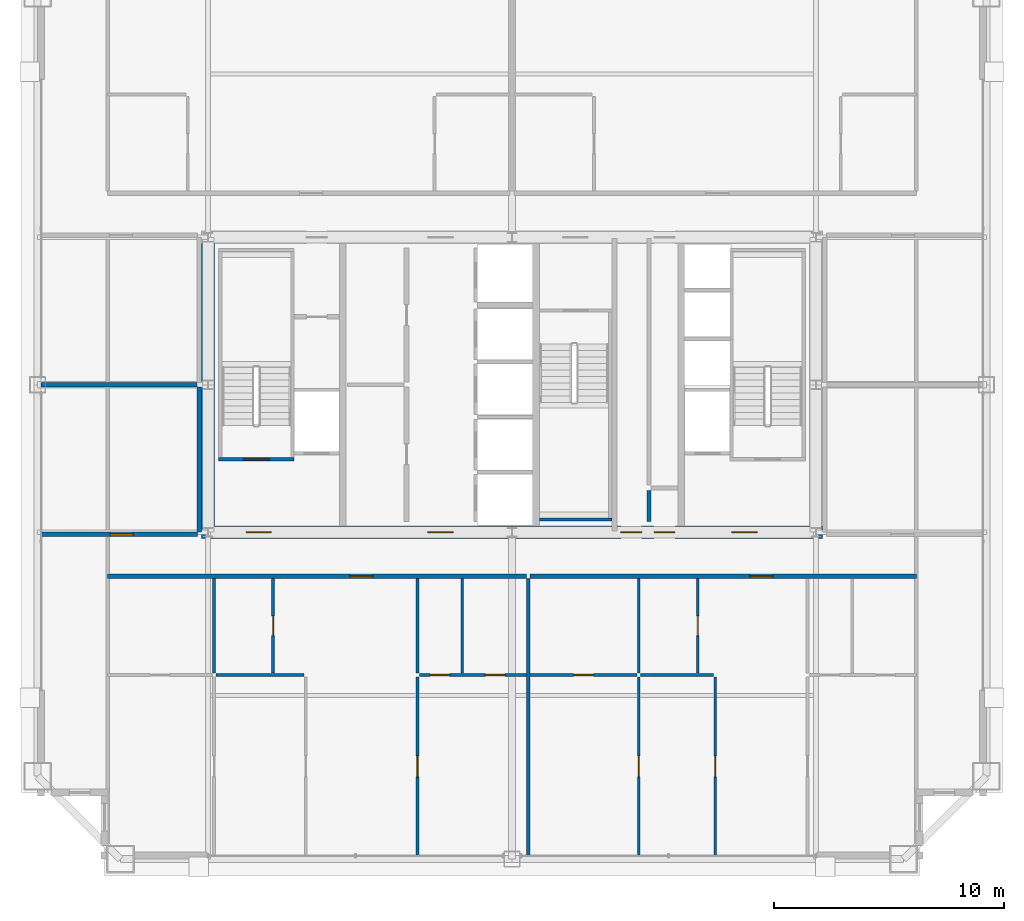
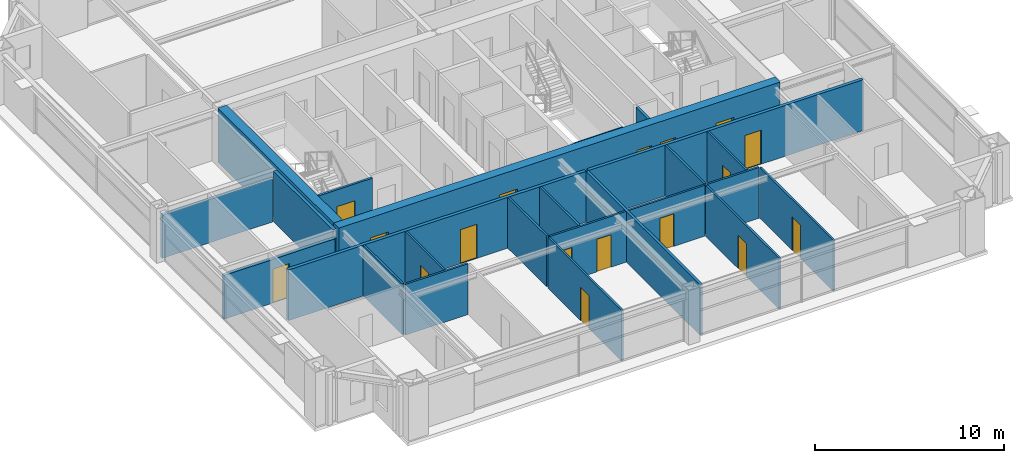
# One storey, part 32 of 36: 24 walls, 17 doors, 17 openings.
"""IFC4 building model written with IfcOpenShell, lengths in metres."""

from ifc_helpers import new_model, si_unit, direction, frame, frame_2d, origin, place, context, subcontext, project, spatial, rectangle, extrude, source, transform, mapped, material, layer, layer_set, type_object, element, fill, save


model = new_model("IFC4")

# Units and contexts
model_context = context("Model", 3, precision=1e-05, world=origin(), true_north=direction((0.0, 1.0)))
body_context = subcontext(model_context, "Body", "Model", "MODEL_VIEW")
ifc_project = project(units=[si_unit("LENGTHUNIT", "METRE"), si_unit("AREAUNIT", "SQUARE_METRE"), si_unit("VOLUMEUNIT", "CUBIC_METRE"), si_unit("PLANEANGLEUNIT", "RADIAN"), si_unit("MASSUNIT", "GRAM", prefix="KILO"), si_unit("THERMODYNAMICTEMPERATUREUNIT", "KELVIN"), si_unit("POWERUNIT", "WATT")], contexts=[model_context])

# Site, building, storey
site_placement = place(None, origin())
site = spatial("IfcSite", under=ifc_project, at=site_placement, CompositionType="ELEMENT")
building_placement = place(site_placement, origin())
building = spatial("IfcBuilding", under=site, at=building_placement, Name="Yuzanri Waterfront Tower", CompositionType="ELEMENT")
storey_placement = place(building_placement, frame((0.0, 0.0, 231.10009765625)))
storey = spatial("IfcBuildingStorey", under=building, at=storey_placement, Name="L61", CompositionType="ELEMENT", Elevation=231.10009765625)

# Wall, opening, door
ifc_material_1 = material(Name="Moisture-Resistant Gypsum Stud Wall", Category="gypsum")
ifc_layer_1 = layer(ifc_material_1, 0.1201171875)
ifc_layer_set_1 = layer_set([ifc_layer_1], Name="Moisture-Resistant Gypsum Stud Wall")
wall_type_1 = type_object("IfcWallType", Name="Bathroom and Kitchen Wet Partition 120", PredefinedType="PARTITIONING", material=ifc_layer_set_1)
wall_1_placement = place(storey_placement, frame((26.625, 13.280029296875, 0.0), z_axis=(0.0, 0.0, 1.0), x_axis=(0.0, 1.0, 0.0)))
wall_1 = element("IfcWall", 1, at=wall_1_placement, inside=storey, type_object=wall_type_1, Name="L61 Partition UW-L61-RS1-SUB-2-E", PredefinedType="PARTITIONING", context=body_context, shape_type="SweptSolid", body=[
    extrude(rectangle(XDim=4.10986328125, YDim=0.1201171875, at=frame_2d((2.054931640625, 0.0))), origin(), (0.0, 0.0, 1.0), 3.27978515625),
])
opening_1_placement = place(wall_1_placement, frame((1.6298828125, 0.0, 0.0)))
opening_1 = element("IfcOpeningElement", 2, at=opening_1_placement, cuts=wall_1, Name="Opening ID-0850", PredefinedType="OPENING", context=body_context, shape_type="SweptSolid", body=[
    extrude(rectangle(XDim=0.85009765625, YDim=2.10009765625, at=frame_2d((0.425048828125, 1.050048828125))), frame((0.0, 0.074951171875, 0.0), z_axis=(0.0, -1.0, 0.0), x_axis=(1.0, 0.0, 0.0)), (0.0, 0.0, 1.0), 0.14990234375),
])
ifc_material_2 = material(Name="Moisture-Resistant Lacquered Timber", Category="wood")
door_type_1 = type_object("IfcDoorType", Name="En-Suite Bathroom and Kitchen Swing Door 850x2100", OperationType="NOTDEFINED", PredefinedType="DOOR", material=ifc_material_2)
shared_shape_1 = source(origin(), body_context, "Body", "SweptSolid", [
    extrude(rectangle(XDim=0.85009765625, YDim=2.10009765625, at=frame_2d((0.425048828125, 1.050048828125))), frame((0.0, 0.02490234375, 0.0), z_axis=(0.0, -1.0, 0.0), x_axis=(1.0, 0.0, 0.0)), (0.0, 0.0, 1.0), 0.050048828125),
])
door_1_placement = place(opening_1_placement, origin())
door_1 = element("IfcDoor", 3, at=door_1_placement, inside=storey, type_object=door_type_1, Name="L61 Suite Interior Room Door", OperationType="SINGLE_SWING_RIGHT", OverallHeight=2.10009765625, OverallWidth=0.85009765625, PredefinedType="DOOR", context=body_context, shape_type="MappedRepresentation", body=[
    mapped(shared_shape_1, transform((0.0, 0.0, 0.0), scale=1.0)),
])
fill(opening_1, door_1)

# Wall, openings, doors
wall_2_placement = place(storey_placement, frame((32.97509765625, 13.199951171875, 0.0), z_axis=(0.0, 0.0, 1.0), x_axis=(1.0, 0.0, 0.0)))
wall_2 = element("IfcWall", 4, at=wall_2_placement, inside=storey, type_object=wall_type_1, Name="L61 Partition UW-L61-RS1-SUB-6-N", PredefinedType="PARTITIONING", context=body_context, shape_type="SweptSolid", body=[
    extrude(rectangle(XDim=4.64697265625, YDim=0.1201171875, at=frame_2d((2.323486328125, 0.0))), origin(), (0.0, 0.0, 1.0), 3.27978515625),
])
opening_2_placement = place(wall_2_placement, frame((2.8720703125, 0.0, 0.0)))
opening_2 = element("IfcOpeningElement", 5, at=opening_2_placement, cuts=wall_2, Name="Opening ID-0850", PredefinedType="OPENING", context=body_context, shape_type="SweptSolid", body=[
    extrude(rectangle(XDim=0.85009765625, YDim=2.10009765625, at=frame_2d((0.425048828125, 1.050048828125))), frame((0.0, 0.074951171875, 0.0), z_axis=(0.0, -1.0, 0.0), x_axis=(1.0, 0.0, 0.0)), (0.0, 0.0, 1.0), 0.14990234375),
])
opening_3_placement = place(wall_2_placement, frame((0.468505859375, 0.0, 0.0)))
opening_3 = element("IfcOpeningElement", 6, at=opening_3_placement, cuts=wall_2, Name="Opening ID-0850", PredefinedType="OPENING", context=body_context, shape_type="SweptSolid", body=[
    extrude(rectangle(XDim=0.85009765625, YDim=2.10009765625, at=frame_2d((0.425048828125, 1.050048828125))), frame((0.0, 0.074951171875, 0.0), z_axis=(0.0, -1.0, 0.0), x_axis=(1.0, 0.0, 0.0)), (0.0, 0.0, 1.0), 0.14990234375),
])
door_2_placement = place(opening_2_placement, origin())
door_2 = element("IfcDoor", 7, at=door_2_placement, inside=storey, type_object=door_type_1, Name="L61 Suite Interior Room Door", OperationType="SINGLE_SWING_LEFT", OverallHeight=2.10009765625, OverallWidth=0.85009765625, PredefinedType="DOOR", context=body_context, shape_type="MappedRepresentation", body=[
    mapped(shared_shape_1, transform((0.0, 0.0, 0.0), scale=1.0)),
])
fill(opening_2, door_2)
door_3_placement = place(opening_3_placement, origin())
door_3 = element("IfcDoor", 8, at=door_3_placement, inside=storey, type_object=door_type_1, Name="L61 Suite Interior Room Door", OperationType="SINGLE_SWING_RIGHT", OverallHeight=2.10009765625, OverallWidth=0.85009765625, PredefinedType="DOOR", context=body_context, shape_type="MappedRepresentation", body=[
    mapped(shared_shape_1, transform((0.0, 0.0, 0.0), scale=1.0)),
])
fill(opening_3, door_3)

# Wall, opening, door
wall_3_placement = place(storey_placement, frame((32.89501953125, 5.35009765625, 0.0), z_axis=(0.0, 0.0, 1.0), x_axis=(0.0, 1.0, 0.0)))
wall_3 = element("IfcWall", 9, at=wall_3_placement, inside=storey, type_object=wall_type_1, Name="L61 Partition UW-L61-RS1-SUB-6-W", PredefinedType="PARTITIONING", context=body_context, shape_type="SweptSolid", body=[
    extrude(rectangle(XDim=7.77001953125, YDim=0.1201171875, at=frame_2d((3.885009765625, 0.0))), origin(), (0.0, 0.0, 1.0), 3.27978515625),
])
opening_4_placement = place(wall_3_placement, frame((3.43505859375, 0.0, 0.0)))
opening_4 = element("IfcOpeningElement", 10, at=opening_4_placement, cuts=wall_3, Name="Opening ID-0900", PredefinedType="OPENING", context=body_context, shape_type="SweptSolid", body=[
    extrude(rectangle(XDim=0.89990234375, YDim=2.14990234375, at=frame_2d((0.449951171875, 1.074951171875))), frame((0.0, 0.074951171875, 0.0), z_axis=(0.0, -1.0, 0.0), x_axis=(1.0, 0.0, 0.0)), (0.0, 0.0, 1.0), 0.14990234375),
])
ifc_material_3 = material(Name="Stained Walnut Veneer Timber", Category="wood")
door_type_2 = type_object("IfcDoorType", Name="Bedroom and Study Interior Swing Door 900x2150", OperationType="NOTDEFINED", PredefinedType="DOOR", material=ifc_material_3)
shared_shape_2 = source(origin(), body_context, "Body", "SweptSolid", [
    extrude(rectangle(XDim=0.89990234375, YDim=2.14990234375, at=frame_2d((0.449951171875, 1.074951171875))), frame((0.0, 0.02490234375, 0.0), z_axis=(0.0, -1.0, 0.0), x_axis=(1.0, 0.0, 0.0)), (0.0, 0.0, 1.0), 0.050048828125),
])
door_4_placement = place(opening_4_placement, origin())
door_4 = element("IfcDoor", 11, at=door_4_placement, inside=storey, type_object=door_type_2, Name="L61 Suite Interior Room Door", OperationType="SINGLE_SWING_RIGHT", OverallHeight=2.14990234375, OverallWidth=0.89990234375, PredefinedType="DOOR", context=body_context, shape_type="MappedRepresentation", body=[
    mapped(shared_shape_2, transform((0.0, 0.0, 0.0), scale=1.0)),
])
fill(opening_4, door_4)

wall_4_placement = place(storey_placement, frame((37.781982421875, 13.199951171875, 0.0), z_axis=(0.0, 0.0, 1.0), x_axis=(1.0, 0.0, 0.0)))
wall_4 = element("IfcWall", 12, at=wall_4_placement, inside=storey, type_object=wall_type_1, Name="L61 Partition UW-L61-RS2-SUB-1-S", PredefinedType="PARTITIONING", context=body_context, shape_type="SweptSolid", body=[
    extrude(rectangle(XDim=4.64697265625, YDim=0.1201171875, at=frame_2d((2.323486328125, 0.0))), origin(), (0.0, 0.0, 1.0), 3.27978515625),
])
opening_5_placement = place(wall_4_placement, frame((1.8984375, 0.0, 0.0)))
opening_5 = element("IfcOpeningElement", 13, at=opening_5_placement, cuts=wall_4, Name="Opening ID-0850", PredefinedType="OPENING", context=body_context, shape_type="SweptSolid", body=[
    extrude(rectangle(XDim=0.85009765625, YDim=2.10009765625, at=frame_2d((0.425048828125, 1.050048828125))), frame((0.0, 0.074951171875, 0.0), z_axis=(0.0, -1.0, 0.0), x_axis=(1.0, 0.0, 0.0)), (0.0, 0.0, 1.0), 0.14990234375),
])
door_5_placement = place(opening_5_placement, origin())
door_5 = element("IfcDoor", 14, at=door_5_placement, inside=storey, type_object=door_type_1, Name="L61 Suite Interior Room Door", OperationType="SINGLE_SWING_LEFT", OverallHeight=2.10009765625, OverallWidth=0.85009765625, PredefinedType="DOOR", context=body_context, shape_type="MappedRepresentation", body=[
    mapped(shared_shape_1, transform((0.0, 0.0, 0.0), scale=1.0)),
])
fill(opening_5, door_5)

wall_5_placement = place(storey_placement, frame((45.069091796875, 13.280029296875, 0.0), z_axis=(0.0, 0.0, 1.0), x_axis=(0.0, 1.0, 0.0)))
wall_5 = element("IfcWall", 15, at=wall_5_placement, inside=storey, type_object=wall_type_1, Name="L61 Partition UW-L61-RS2-SUB-2-E", PredefinedType="PARTITIONING", context=body_context, shape_type="SweptSolid", body=[
    extrude(rectangle(XDim=4.10986328125, YDim=0.1201171875, at=frame_2d((2.054931640625, 0.0))), origin(), (0.0, 0.0, 1.0), 3.27978515625),
])
opening_6_placement = place(wall_5_placement, frame((1.6298828125, 0.0, 0.0)))
opening_6 = element("IfcOpeningElement", 16, at=opening_6_placement, cuts=wall_5, Name="Opening ID-0850", PredefinedType="OPENING", context=body_context, shape_type="SweptSolid", body=[
    extrude(rectangle(XDim=0.85009765625, YDim=2.10009765625, at=frame_2d((0.425048828125, 1.050048828125))), frame((0.0, 0.074951171875, 0.0), z_axis=(0.0, -1.0, 0.0), x_axis=(1.0, 0.0, 0.0)), (0.0, 0.0, 1.0), 0.14990234375),
])
door_6_placement = place(opening_6_placement, origin())
door_6 = element("IfcDoor", 17, at=door_6_placement, inside=storey, type_object=door_type_1, Name="L61 Suite Interior Room Door", OperationType="SINGLE_SWING_RIGHT", OverallHeight=2.10009765625, OverallWidth=0.85009765625, PredefinedType="DOOR", context=body_context, shape_type="MappedRepresentation", body=[
    mapped(shared_shape_1, transform((0.0, 0.0, 0.0), scale=1.0)),
])
fill(opening_6, door_6)

wall_6_placement = place(storey_placement, frame((42.509033203125, 5.35009765625, 0.0), z_axis=(0.0, 0.0, 1.0), x_axis=(0.0, 1.0, 0.0)))
wall_6 = element("IfcWall", 18, at=wall_6_placement, inside=storey, type_object=wall_type_1, Name="L61 Partition UW-L61-RS2-SUB-5-E", PredefinedType="PARTITIONING", context=body_context, shape_type="SweptSolid", body=[
    extrude(rectangle(XDim=7.77001953125, YDim=0.1201171875, at=frame_2d((3.885009765625, 0.0))), origin(), (0.0, 0.0, 1.0), 3.27978515625),
])
opening_7_placement = place(wall_6_placement, frame((3.43505859375, 0.0, 0.0)))
opening_7 = element("IfcOpeningElement", 19, at=opening_7_placement, cuts=wall_6, Name="Opening ID-0900", PredefinedType="OPENING", context=body_context, shape_type="SweptSolid", body=[
    extrude(rectangle(XDim=0.89990234375, YDim=2.14990234375, at=frame_2d((0.449951171875, 1.074951171875))), frame((0.0, 0.074951171875, 0.0), z_axis=(0.0, -1.0, 0.0), x_axis=(1.0, 0.0, 0.0)), (0.0, 0.0, 1.0), 0.14990234375),
])
door_7_placement = place(opening_7_placement, origin())
door_7 = element("IfcDoor", 20, at=door_7_placement, inside=storey, type_object=door_type_2, Name="L61 Suite Interior Room Door", OperationType="SINGLE_SWING_LEFT", OverallHeight=2.14990234375, OverallWidth=0.89990234375, PredefinedType="DOOR", context=body_context, shape_type="MappedRepresentation", body=[
    mapped(shared_shape_2, transform((0.0, 0.0, 0.0), scale=1.0)),
])
fill(opening_7, door_7)

wall_7_placement = place(storey_placement, frame((45.821044921875, 5.35009765625, 0.0), z_axis=(0.0, 0.0, 1.0), x_axis=(0.0, 1.0, 0.0)))
wall_7 = element("IfcWall", 21, at=wall_7_placement, inside=storey, type_object=wall_type_1, Name="L61 Partition UW-L61-RS2-SUB-7-E", PredefinedType="PARTITIONING", context=body_context, shape_type="SweptSolid", body=[
    extrude(rectangle(XDim=7.77001953125, YDim=0.1201171875, at=frame_2d((3.885009765625, 0.0))), origin(), (0.0, 0.0, 1.0), 3.27978515625),
])
opening_8_placement = place(wall_7_placement, frame((3.43505859375, 0.0, 0.0)))
opening_8 = element("IfcOpeningElement", 22, at=opening_8_placement, cuts=wall_7, Name="Opening ID-0900", PredefinedType="OPENING", context=body_context, shape_type="SweptSolid", body=[
    extrude(rectangle(XDim=0.89990234375, YDim=2.14990234375, at=frame_2d((0.449951171875, 1.074951171875))), frame((0.0, 0.074951171875, 0.0), z_axis=(0.0, -1.0, 0.0), x_axis=(1.0, 0.0, 0.0)), (0.0, 0.0, 1.0), 0.14990234375),
])
door_8_placement = place(opening_8_placement, origin())
door_8 = element("IfcDoor", 23, at=door_8_placement, inside=storey, type_object=door_type_2, Name="L61 Suite Interior Room Door", OperationType="SINGLE_SWING_LEFT", OverallHeight=2.14990234375, OverallWidth=0.89990234375, PredefinedType="DOOR", context=body_context, shape_type="MappedRepresentation", body=[
    mapped(shared_shape_2, transform((0.0, 0.0, 0.0), scale=1.0)),
])
fill(opening_8, door_8)

# Wall, openings, doors
ifc_material_4 = material(Name="Concrete C50", Category="concrete")
ifc_layer_2 = layer(ifc_material_4, 0.550048828125)
ifc_layer_set_2 = layer_set([ifc_layer_2], Name="Concrete C50")
wall_type_2 = type_object("IfcWallType", Name="Concrete C50 Upper-Mid Zone Core Shear Wall 550", PredefinedType="SHEAR", material=ifc_layer_set_2)
wall_8_placement = place(storey_placement, frame((23.52490234375, 19.39990234375, 0.0), z_axis=(0.0, 0.0, 1.0), x_axis=(1.0, 0.0, 0.0)))
wall_8 = element("IfcWall", 24, at=wall_8_placement, inside=storey, type_object=wall_type_2, Name="L61 Core South Shear Wall", PredefinedType="SHEAR", context=body_context, shape_type="SweptSolid", body=[
    extrude(rectangle(XDim=26.9501953125, YDim=0.550048828125, at=frame_2d((13.47509765625, 0.0))), origin(), (0.0, 0.0, 1.0), 3.5),
])
opening_9_placement = place(wall_8_placement, frame((1.925048828125, 0.0, 0.0)))
opening_9 = element("IfcOpeningElement", 25, at=opening_9_placement, cuts=wall_8, Name="Opening FD-1100", PredefinedType="OPENING", context=body_context, shape_type="SweptSolid", body=[
    extrude(rectangle(XDim=1.10009765625, YDim=2.199951171875, at=frame_2d((0.550048828125, 1.10009765625))), frame((0.0, 0.2900390625, 0.0), z_axis=(0.0, -1.0, 0.0), x_axis=(1.0, 0.0, 0.0)), (0.0, 0.0, 1.0), 0.579833984375),
])
opening_10_placement = place(wall_8_placement, frame((9.824951171875, 0.0, 0.0)))
opening_10 = element("IfcOpeningElement", 26, at=opening_10_placement, cuts=wall_8, Name="Opening FD-1100", PredefinedType="OPENING", context=body_context, shape_type="SweptSolid", body=[
    extrude(rectangle(XDim=1.10009765625, YDim=2.199951171875, at=frame_2d((0.550048828125, 1.10009765625))), frame((0.0, 0.2900390625, 0.0), z_axis=(0.0, -1.0, 0.0), x_axis=(1.0, 0.0, 0.0)), (0.0, 0.0, 1.0), 0.579833984375),
])
opening_11_placement = place(wall_8_placement, frame((23.02490234375, 0.0, 0.0)))
opening_11 = element("IfcOpeningElement", 27, at=opening_11_placement, cuts=wall_8, Name="Opening FD-1100", PredefinedType="OPENING", context=body_context, shape_type="SweptSolid", body=[
    extrude(rectangle(XDim=1.10009765625, YDim=2.199951171875, at=frame_2d((0.550048828125, 1.10009765625))), frame((0.0, 0.2900390625, 0.0), z_axis=(0.0, -1.0, 0.0), x_axis=(1.0, 0.0, 0.0)), (0.0, 0.0, 1.0), 0.579833984375),
])
opening_12_placement = place(wall_8_placement, frame((19.64501953125, 0.0, 0.0)))
opening_12 = element("IfcOpeningElement", 28, at=opening_12_placement, cuts=wall_8, Name="Opening FD-0900", PredefinedType="OPENING", context=body_context, shape_type="SweptSolid", body=[
    extrude(rectangle(XDim=0.89990234375, YDim=2.14990234375, at=frame_2d((0.449951171875, 1.074951171875))), frame((0.0, 0.2900390625, 0.0), z_axis=(0.0, -1.0, 0.0), x_axis=(1.0, 0.0, 0.0)), (0.0, 0.0, 1.0), 0.579833984375),
])
opening_13_placement = place(wall_8_placement, frame((18.205078125, 0.0, 0.0)))
opening_13 = element("IfcOpeningElement", 29, at=opening_13_placement, cuts=wall_8, Name="Opening FD-0900", PredefinedType="OPENING", context=body_context, shape_type="SweptSolid", body=[
    extrude(rectangle(XDim=0.89990234375, YDim=2.14990234375, at=frame_2d((0.449951171875, 1.074951171875))), frame((0.0, 0.2900390625, 0.0), z_axis=(0.0, -1.0, 0.0), x_axis=(1.0, 0.0, 0.0)), (0.0, 0.0, 1.0), 0.579833984375),
])
ifc_material_5 = material(Name="Painted Galvanized Fire Steel", Category="steel")
door_type_3 = type_object("IfcDoorType", Name="Smoke-Proof Stair and Lobby Fire Door 1100x2200", OperationType="NOTDEFINED", PredefinedType="DOOR", material=ifc_material_5)
shared_shape_3 = source(origin(), body_context, "Body", "SweptSolid", [
    extrude(rectangle(XDim=1.10009765625, YDim=2.199951171875, at=frame_2d((0.550048828125, 1.10009765625))), frame((0.0, 0.02490234375, 0.0), z_axis=(0.0, -1.0, 0.0), x_axis=(1.0, 0.0, 0.0)), (0.0, 0.0, 1.0), 0.050048828125),
])
door_9_placement = place(opening_9_placement, origin())
door_9 = element("IfcDoor", 30, at=door_9_placement, inside=storey, type_object=door_type_3, Name="L61 West Firefighting Lobby Door", OperationType="SINGLE_SWING_RIGHT", OverallHeight=2.199951171875, OverallWidth=1.10009765625, PredefinedType="DOOR", context=body_context, shape_type="MappedRepresentation", body=[
    mapped(shared_shape_3, transform((0.0, 0.0, 0.0), scale=1.0)),
])
fill(opening_9, door_9)
door_10_placement = place(opening_10_placement, origin())
door_10 = element("IfcDoor", 31, at=door_10_placement, inside=storey, type_object=door_type_3, Name="L61 Central Lift Lobby South Door", OperationType="SINGLE_SWING_LEFT", OverallHeight=2.199951171875, OverallWidth=1.10009765625, PredefinedType="DOOR", context=body_context, shape_type="MappedRepresentation", body=[
    mapped(shared_shape_3, transform((0.0, 0.0, 0.0), scale=1.0)),
])
fill(opening_10, door_10)
door_11_placement = place(opening_11_placement, origin())
door_11 = element("IfcDoor", 32, at=door_11_placement, inside=storey, type_object=door_type_3, Name="L61 East Firefighting Lobby Door", OperationType="SINGLE_SWING_RIGHT", OverallHeight=2.199951171875, OverallWidth=1.10009765625, PredefinedType="DOOR", context=body_context, shape_type="MappedRepresentation", body=[
    mapped(shared_shape_3, transform((0.0, 0.0, 0.0), scale=1.0)),
])
fill(opening_11, door_11)
ifc_material_6 = material(Name="Painted Galvanized Fire Steel", Category="steel")
door_type_4 = type_object("IfcDoorType", Name="Riser and Service Room Fire Door 900x2150", OperationType="NOTDEFINED", PredefinedType="DOOR", material=ifc_material_6)
shared_shape_4 = source(origin(), body_context, "Body", "SweptSolid", [
    extrude(rectangle(XDim=0.89990234375, YDim=2.14990234375, at=frame_2d((0.449951171875, 1.074951171875))), frame((0.0, 0.02490234375, 0.0), z_axis=(0.0, -1.0, 0.0), x_axis=(1.0, 0.0, 0.0)), (0.0, 0.0, 1.0), 0.050048828125),
])
door_12_placement = place(opening_12_placement, origin())
door_12 = element("IfcDoor", 33, at=door_12_placement, inside=storey, type_object=door_type_4, Name="L61 East Wet Riser Door", OperationType="SINGLE_SWING_LEFT", OverallHeight=2.14990234375, OverallWidth=0.89990234375, PredefinedType="DOOR", context=body_context, shape_type="MappedRepresentation", body=[
    mapped(shared_shape_4, transform((0.0, 0.0, 0.0), scale=1.0)),
])
fill(opening_12, door_12)
door_13_placement = place(opening_13_placement, origin())
door_13 = element("IfcDoor", 34, at=door_13_placement, inside=storey, type_object=door_type_4, Name="L61 Cleaners Store Room", OperationType="SINGLE_SWING_RIGHT", OverallHeight=2.14990234375, OverallWidth=0.89990234375, PredefinedType="DOOR", context=body_context, shape_type="MappedRepresentation", body=[
    mapped(shared_shape_4, transform((0.0, 0.0, 0.0), scale=1.0)),
])
fill(opening_13, door_13)

# Wall, opening, door
ifc_material_7 = material(Name="Concrete C40", Category="concrete")
ifc_layer_3 = layer(ifc_material_7, 0.139892578125)
ifc_layer_set_3 = layer_set([ifc_layer_3], Name="Concrete C40")
wall_type_3 = type_object("IfcWallType", Name="Core Stair Liner and Hoistway Shaft Wall 140", PredefinedType="SOLIDWALL", material=ifc_layer_set_3)
wall_9_placement = place(storey_placement, frame((24.260009765625, 22.570068359375, 0.0), z_axis=(0.0, 0.0, 1.0), x_axis=(1.0, 0.0, 0.0)))
wall_9 = element("IfcWall", 35, at=wall_9_placement, inside=storey, type_object=wall_type_3, Name="L61 Shaft Wall STW-L61-ST-01-S", PredefinedType="SOLIDWALL", context=body_context, shape_type="SweptSolid", body=[
    extrude(rectangle(XDim=3.280029296875, YDim=0.139892578125, at=frame_2d((1.64013671875, 0.0))), origin(), (0.0, 0.0, 1.0), 3.27978515625),
])
opening_14_placement = place(wall_9_placement, frame((1.090087890625, 0.0, 0.0)))
opening_14 = element("IfcOpeningElement", 36, at=opening_14_placement, cuts=wall_9, Name="Opening FD-1100", PredefinedType="OPENING", context=body_context, shape_type="SweptSolid", body=[
    extrude(rectangle(XDim=1.10009765625, YDim=2.199951171875, at=frame_2d((0.550048828125, 1.10009765625))), frame((0.0, 0.0849609375, 0.0), z_axis=(0.0, -1.0, 0.0), x_axis=(1.0, 0.0, 0.0)), (0.0, 0.0, 1.0), 0.169677734375),
])
door_14_placement = place(opening_14_placement, origin())
door_14 = element("IfcDoor", 37, at=door_14_placement, inside=storey, type_object=door_type_3, Name="L61 Stair ST-01 Fire Door", OperationType="SINGLE_SWING_LEFT", OverallHeight=2.199951171875, OverallWidth=1.10009765625, PredefinedType="DOOR", context=body_context, shape_type="MappedRepresentation", body=[
    mapped(shared_shape_3, transform((0.0, 0.0, 0.0), scale=1.0)),
])
fill(opening_14, door_14)

ifc_material_8 = material(Name="Autoclaved Aerated Concrete Blockwork", Category="masonry")
ifc_layer_4 = layer(ifc_material_8, 0.199951171875)
ifc_layer_set_4 = layer_set([ifc_layer_4], Name="Autoclaved Aerated Concrete Blockwork")
wall_type_4 = type_object("IfcWallType", Name="Corridor and Unit Party Fire Wall 200", PredefinedType="PARTITIONING", material=ifc_layer_set_4)
wall_10_placement = place(storey_placement, frame((19.43994140625, 17.489990234375, 0.0), z_axis=(0.0, 0.0, 1.0), x_axis=(1.0, 0.0, 0.0)))
wall_10 = element("IfcWall", 38, at=wall_10_placement, inside=storey, type_object=wall_type_4, Name="L61 Partition UW-L61-RS1-CN", PredefinedType="PARTITIONING", context=body_context, shape_type="SweptSolid", body=[
    extrude(rectangle(XDim=18.18212890625, YDim=0.199951171875, at=frame_2d((9.091064453125, 0.0))), origin(), (0.0, 0.0, 1.0), 3.27978515625),
])
opening_15_placement = place(wall_10_placement, frame((10.528076171875, 0.0, 0.0)))
opening_15 = element("IfcOpeningElement", 39, at=opening_15_placement, cuts=wall_10, Name="Opening FD-1000", PredefinedType="OPENING", context=body_context, shape_type="SweptSolid", body=[
    extrude(rectangle(XDim=1.0, YDim=2.199951171875, at=frame_2d((0.5, 1.10009765625))), frame((0.0, 0.11474609375, 0.0), z_axis=(0.0, -1.0, 0.0), x_axis=(1.0, 0.0, 0.0)), (0.0, 0.0, 1.0), 0.229736328125),
])
ifc_material_9 = material(Name="Engineered Oak Fire-Rated Timber", Category="wood")
door_type_5 = type_object("IfcDoorType", Name="Guestroom and Apartment Entrance Fire Door 1000x2200", OperationType="NOTDEFINED", PredefinedType="DOOR", material=ifc_material_9)
shared_shape_5 = source(origin(), body_context, "Body", "SweptSolid", [
    extrude(rectangle(XDim=1.0, YDim=2.199951171875, at=frame_2d((0.5, 1.10009765625))), frame((0.0, 0.02490234375, 0.0), z_axis=(0.0, -1.0, 0.0), x_axis=(1.0, 0.0, 0.0)), (0.0, 0.0, 1.0), 0.050048828125),
])
door_15_placement = place(opening_15_placement, origin())
door_15 = element("IfcDoor", 40, at=door_15_placement, inside=storey, type_object=door_type_5, Name="L61 Apartment Living and Dining Salon Entrance Door", OperationType="SINGLE_SWING_RIGHT", OverallHeight=2.199951171875, OverallWidth=1.0, PredefinedType="DOOR", context=body_context, shape_type="MappedRepresentation", body=[
    mapped(shared_shape_5, transform((0.0, 0.0, 0.0), scale=1.0)),
])
fill(opening_15, door_15)

wall_11_placement = place(storey_placement, frame((37.781982421875, 17.489990234375, 0.0), z_axis=(0.0, 0.0, 1.0), x_axis=(1.0, 0.0, 0.0)))
wall_11 = element("IfcWall", 41, at=wall_11_placement, inside=storey, type_object=wall_type_4, Name="L61 Partition UW-L61-RS2-CN", PredefinedType="PARTITIONING", context=body_context, shape_type="SweptSolid", body=[
    extrude(rectangle(XDim=16.778076171875, YDim=0.199951171875, at=frame_2d((8.38916015625, 0.0))), origin(), (0.0, 0.0, 1.0), 3.27978515625),
])
opening_16_placement = place(wall_11_placement, frame((9.544921875, 0.0, 0.0)))
opening_16 = element("IfcOpeningElement", 42, at=opening_16_placement, cuts=wall_11, Name="Opening FD-1000", PredefinedType="OPENING", context=body_context, shape_type="SweptSolid", body=[
    extrude(rectangle(XDim=1.0, YDim=2.199951171875, at=frame_2d((0.5, 1.10009765625))), frame((0.0, 0.11474609375, 0.0), z_axis=(0.0, -1.0, 0.0), x_axis=(1.0, 0.0, 0.0)), (0.0, 0.0, 1.0), 0.229736328125),
])
door_16_placement = place(opening_16_placement, origin())
door_16 = element("IfcDoor", 43, at=door_16_placement, inside=storey, type_object=door_type_5, Name="L61 Apartment Living and Dining Salon Entrance Door", OperationType="SINGLE_SWING_RIGHT", OverallHeight=2.199951171875, OverallWidth=1.0, PredefinedType="DOOR", context=body_context, shape_type="MappedRepresentation", body=[
    mapped(shared_shape_5, transform((0.0, 0.0, 0.0), scale=1.0)),
])
fill(opening_16, door_16)

wall_12_placement = place(storey_placement, frame((16.550048828125, 19.31005859375, 0.0), z_axis=(0.0, 0.0, 1.0), x_axis=(1.0, 0.0, 0.0)))
wall_12 = element("IfcWall", 44, at=wall_12_placement, inside=storey, type_object=wall_type_4, Name="L61 Partition UW-L61-039-CS", PredefinedType="PARTITIONING", context=body_context, shape_type="SweptSolid", body=[
    extrude(rectangle(XDim=6.800048828125, YDim=0.199951171875, at=frame_2d((3.39990234375, 0.0))), origin(), (0.0, 0.0, 1.0), 2.824951171875),
])
opening_17_placement = place(wall_12_placement, frame((3.0, 0.0, 0.0)))
opening_17 = element("IfcOpeningElement", 45, at=opening_17_placement, cuts=wall_12, Name="Opening FD-1000", PredefinedType="OPENING", context=body_context, shape_type="SweptSolid", body=[
    extrude(rectangle(XDim=1.0, YDim=2.199951171875, at=frame_2d((0.5, 1.10009765625))), frame((0.0, 0.11474609375, 0.0), z_axis=(0.0, -1.0, 0.0), x_axis=(1.0, 0.0, 0.0)), (0.0, 0.0, 1.0), 0.229736328125),
])
door_17_placement = place(opening_17_placement, origin())
door_17 = element("IfcDoor", 46, at=door_17_placement, inside=storey, type_object=door_type_5, Name="L61 Residents W Boardroom Meeting Room Entrance Door", OperationType="SINGLE_SWING_RIGHT", OverallHeight=2.199951171875, OverallWidth=1.0, PredefinedType="DOOR", context=body_context, shape_type="MappedRepresentation", body=[
    mapped(shared_shape_5, transform((0.0, 0.0, 0.0), scale=1.0)),
])
fill(opening_17, door_17)

# Walls
shared_shape_6 = source(origin(), body_context, "Body", "SweptSolid", [
    extrude(rectangle(XDim=12.25, YDim=0.550048828125, at=frame_2d((6.125, 0.0))), origin(), (0.0, 0.0, 1.0), 3.5),
])
wall_13_placement = place(storey_placement, frame((23.800048828125, 19.675048828125, 0.0), z_axis=(0.0, 0.0, 1.0), x_axis=(0.0, 1.0, 0.0)))
element("IfcWall", 47, at=wall_13_placement, inside=storey, type_object=wall_type_2, Name="L61 Core West Shear Wall", PredefinedType="SHEAR", context=body_context, shape_type="MappedRepresentation", body=[
    mapped(shared_shape_6, transform((0.0, 0.0, 0.0), scale=1.0)),
])
shared_shape_7 = source(origin(), body_context, "Body", "SweptSolid", [
    extrude(rectangle(XDim=3.14013671875, YDim=0.139892578125, at=frame_2d((1.570068359375, 0.0))), origin(), (0.0, 0.0, 1.0), 3.27978515625),
])
wall_14_placement = place(storey_placement, frame((38.199951171875, 19.949951171875, 0.0), z_axis=(0.0, 0.0, 1.0), x_axis=(1.0, 0.0, 0.0)))
element("IfcWall", 48, at=wall_14_placement, inside=storey, type_object=wall_type_3, Name="L61 Stair ST-03 South Shaft Wall", PredefinedType="SOLIDWALL", context=body_context, shape_type="MappedRepresentation", body=[
    mapped(shared_shape_7, transform((0.0, 0.0, 0.0), scale=1.0)),
])
ifc_material_10 = material(Name="Gypsum Fireboard Acoustic Stud Wall", Category="gypsum")
ifc_layer_5 = layer(ifc_material_10, 0.159912109375)
ifc_layer_set_5 = layer_set([ifc_layer_5], Name="Gypsum Fireboard Acoustic Stud Wall")
wall_type_5 = type_object("IfcWallType", Name="Acoustic Suite Demising Partition 160", PredefinedType="PARTITIONING", material=ifc_layer_set_5)
shared_shape_8 = source(origin(), body_context, "Body", "SweptSolid", [
    extrude(rectangle(XDim=1.33984375, YDim=0.159912109375, at=frame_2d((0.669921875, 0.0))), origin(), (0.0, 0.0, 1.0), 3.27978515625),
])
wall_15_placement = place(storey_placement, frame((42.949951171875, 19.860107421875, 0.0), z_axis=(0.0, 0.0, 1.0), x_axis=(0.0, 1.0, 0.0)))
element("IfcWall", 49, at=wall_15_placement, inside=storey, type_object=wall_type_5, Name="L61 East Wet Riser West Wall", PredefinedType="PARTITIONING", context=body_context, shape_type="MappedRepresentation", body=[
    mapped(shared_shape_8, transform((0.0, 0.0, 0.0), scale=1.0)),
])
shared_shape_9 = source(origin(), body_context, "Body", "SweptSolid", [
    extrude(rectangle(XDim=12.039794921875, YDim=0.159912109375, at=frame_2d((6.02001953125, 0.0))), origin(), (0.0, 0.0, 1.0), 3.27978515625),
])
wall_16_placement = place(storey_placement, frame((37.701904296875, 5.35009765625, 0.0), z_axis=(0.0, 0.0, 1.0), x_axis=(0.0, 1.0, 0.0)))
element("IfcWall", 50, at=wall_16_placement, inside=storey, type_object=wall_type_5, Name="L61-RS1 Party Wall", PredefinedType="PARTITIONING", context=body_context, shape_type="MappedRepresentation", body=[
    mapped(shared_shape_9, transform((0.0, 0.0, 0.0), scale=1.0)),
])
shared_shape_10 = source(origin(), body_context, "Body", "SweptSolid", [
    extrude(rectangle(XDim=4.10986328125, YDim=0.1201171875, at=frame_2d((2.054931640625, 0.0))), origin(), (0.0, 0.0, 1.0), 3.27978515625),
])
for number, where, z_axis, x_axis, name in (
    (51, (24.06494140625, 13.280029296875, 0.0), (0.0, 0.0, 1.0), (0.0, 1.0, 0.0), "L61 Partition UW-L61-RS1-SUB-1-E"),
    (52, (34.842041015625, 13.280029296875, 0.0), (0.0, 0.0, 1.0), (0.0, 1.0, 0.0), "L61 Partition UW-L61-RS1-SUB-3-W"),
    (53, (32.89501953125, 13.280029296875, 0.0), (0.0, 0.0, 1.0), (0.0, 1.0, 0.0), "L61 Partition UW-L61-RS1-SUB-4-W"),
    (54, (42.509033203125, 13.280029296875, 0.0), (0.0, 0.0, 1.0), (0.0, 1.0, 0.0), "L61 Partition UW-L61-RS2-SUB-1-E"),
):
    element("IfcWall", number, at=place(storey_placement, frame(where, z_axis=z_axis, x_axis=x_axis)), inside=storey, type_object=wall_type_1, Name=name, PredefinedType="PARTITIONING", context=body_context, shape_type="MappedRepresentation", body=[
        mapped(shared_shape_10, transform((0.0, 0.0, 0.0), scale=1.0)),
    ])
shared_shape_11 = source(origin(), body_context, "Body", "SweptSolid", [
    extrude(rectangle(XDim=3.81494140625, YDim=0.1201171875, at=frame_2d((1.907470703125, 0.0))), origin(), (0.0, 0.0, 1.0), 3.27978515625),
])
wall_17_placement = place(storey_placement, frame((24.14501953125, 13.199951171875, 0.0), z_axis=(0.0, 0.0, 1.0), x_axis=(1.0, 0.0, 0.0)))
element("IfcWall", 55, at=wall_17_placement, inside=storey, type_object=wall_type_1, Name="L61 Partition UW-L61-RS1-SUB-7-N", PredefinedType="PARTITIONING", context=body_context, shape_type="MappedRepresentation", body=[
    mapped(shared_shape_11, transform((0.0, 0.0, 0.0), scale=1.0)),
])
shared_shape_12 = source(origin(), body_context, "Body", "SweptSolid", [
    extrude(rectangle(XDim=3.15185546875, YDim=0.1201171875, at=frame_2d((1.575927734375, 0.0))), origin(), (0.0, 0.0, 1.0), 3.27978515625),
])
wall_18_placement = place(storey_placement, frame((42.589111328125, 13.199951171875, 0.0), z_axis=(0.0, 0.0, 1.0), x_axis=(1.0, 0.0, 0.0)))
element("IfcWall", 56, at=wall_18_placement, inside=storey, type_object=wall_type_1, Name="L61 Partition UW-L61-RS2-SUB-7-N", PredefinedType="PARTITIONING", context=body_context, shape_type="MappedRepresentation", body=[
    mapped(shared_shape_12, transform((0.0, 0.0, 0.0), scale=1.0)),
])
shared_shape_13 = source(origin(), body_context, "Body", "SweptSolid", [
    extrude(rectangle(XDim=6.764892578125, YDim=0.199951171875, at=frame_2d((3.38232421875, 0.0))), origin(), (0.0, 0.0, 1.0), 2.786865234375),
])
wall_19_placement = place(storey_placement, frame((16.550048828125, 25.800048828125, 0.0), z_axis=(0.0, 0.0, 1.0), x_axis=(1.0, 0.0, 0.0)))
element("IfcWall", 57, at=wall_19_placement, inside=storey, type_object=wall_type_4, Name="L61-039 Wing North Wall", PredefinedType="PARTITIONING", context=body_context, shape_type="MappedRepresentation", body=[
    mapped(shared_shape_13, transform((0.0, 0.0, 0.0), scale=1.0)),
])
shared_shape_14 = source(origin(), body_context, "Body", "SweptSolid", [
    extrude(rectangle(XDim=6.2900390625, YDim=0.199951171875, at=frame_2d((3.14501953125, 0.0))), origin(), (0.0, 0.0, 1.0), 3.27978515625),
])
wall_20_placement = place(storey_placement, frame((23.419921875, 19.409912109375, 0.0), z_axis=(0.0, 0.0, 1.0), x_axis=(0.0, 1.0, 0.0)))
element("IfcWall", 58, at=wall_20_placement, inside=storey, type_object=wall_type_4, Name="L61-039 Wing Inner Core-Side Wall", PredefinedType="PARTITIONING", context=body_context, shape_type="MappedRepresentation", body=[
    mapped(shared_shape_14, transform((0.0, 0.0, 0.0), scale=1.0)),
])

save(model, "model.ifc")
